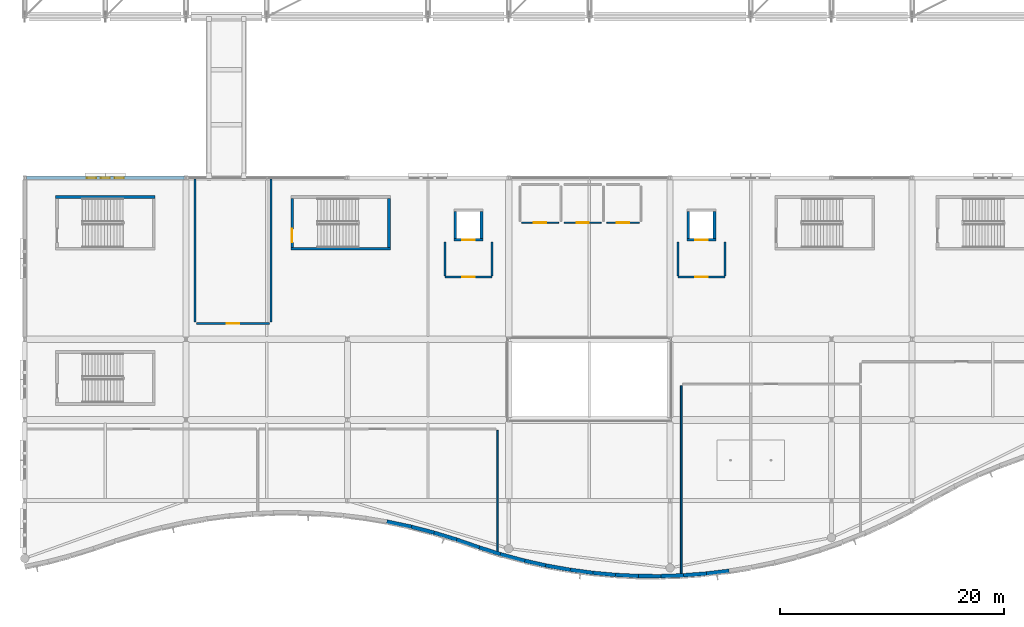
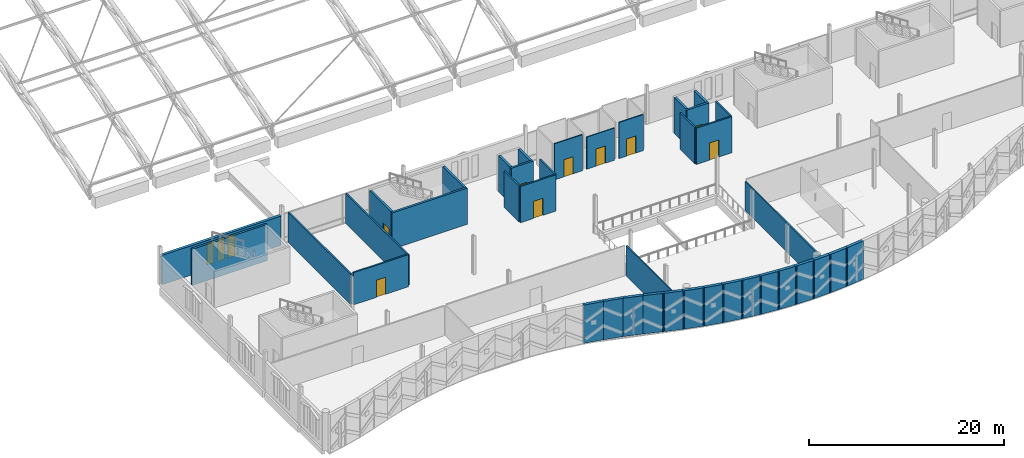
# One storey, part 136 of 193: 40 walls, 9 doors, 3 windows, 12 openings.
"""IFC4 building model written with IfcOpenShell, lengths in metres."""

from ifc_helpers import new_model, si_unit, direction, frame, frame_2d, origin, place, context, subcontext, project, spatial, rectangle, extrude, material, layer, layer_set, type_object, element, fill, save


model = new_model("IFC4")

# Units and contexts
model_context = context("Model", 3, precision=1e-05, world=origin(), true_north=direction((0.0, 1.0)))
body_context = subcontext(model_context, "Body", "Model", "MODEL_VIEW")
ifc_project = project(units=[si_unit("LENGTHUNIT", "METRE"), si_unit("AREAUNIT", "SQUARE_METRE"), si_unit("VOLUMEUNIT", "CUBIC_METRE"), si_unit("PLANEANGLEUNIT", "RADIAN"), si_unit("MASSUNIT", "GRAM", prefix="KILO")], contexts=[model_context])

# Site, building, storey
site_placement = place(None, origin())
site = spatial("IfcSite", under=ifc_project, at=site_placement, CompositionType="ELEMENT")
building_placement = place(site_placement, origin())
building = spatial("IfcBuilding", under=site, at=building_placement, Name="Cendralis Lancet Convention Centre", CompositionType="ELEMENT")
storey_placement = place(building_placement, frame((0.0, 0.0, 10.199951171875)))
storey = spatial("IfcBuildingStorey", under=building, at=storey_placement, Name="L02", CompositionType="ELEMENT", Elevation=10.199951171875)

# Wall, openings, windows
ifc_material_1 = material(Name="Buff sandstone ashlar and Concrete G40 (C40/50)", Category="masonry")
ifc_layer_1 = layer(ifc_material_1, 0.320068359375, Name="Buff sandstone ashlar and Concrete G40 (C40/50)")
ifc_layer_set_1 = layer_set([ifc_layer_1], Name="Buff sandstone ashlar and Concrete G40 (C40/50)")
wall_type_1 = type_object("IfcWallType", Name="ARC-EW-W320", PredefinedType="STANDARD", material=ifc_layer_set_1)
wall_1_placement = place(storey_placement, frame((0.157958984375, 36.0, 0.0), z_axis=(0.0, 0.0, 1.0), x_axis=(1.0, 0.0, 0.0)))
wall_1 = element("IfcWall", 1, at=wall_1_placement, inside=storey, type_object=wall_type_1, Name="L02 V4 Exterior Wall EW-06 #0206", PredefinedType="STANDARD", context=body_context, shape_type="SweptSolid", body=[
    extrude(rectangle(XDim=14.083984375, YDim=0.320068359375, at=frame_2d((7.0419921875, 0.0))), origin(), (0.0, 0.0, 1.0), 3.675048828125),
])
opening_1_placement = place(wall_1_placement, frame((5.382080078125, 0.0, 0.5)))
opening_1 = element("IfcOpeningElement", 2, at=opening_1_placement, cuts=wall_1, Name="Opening WN-15", PredefinedType="OPENING", context=body_context, shape_type="SweptSolid", body=[
    extrude(rectangle(XDim=0.840087890625, YDim=2.699951171875, at=frame_2d((0.419921875, 1.35009765625))), frame((0.0, 0.169921875, 0.0), z_axis=(0.0, -1.0, 0.0), x_axis=(1.0, 0.0, 0.0)), (0.0, 0.0, 1.0), 0.340087890625),
])
opening_2_placement = place(wall_1_placement, frame((6.64208984375, 0.0, 0.5)))
opening_2 = element("IfcOpeningElement", 3, at=opening_2_placement, cuts=wall_1, Name="Opening WN-07", PredefinedType="OPENING", context=body_context, shape_type="SweptSolid", body=[
    extrude(rectangle(XDim=0.800048828125, YDim=2.75, at=frame_2d((0.39990234375, 1.375))), frame((0.0, 0.169921875, 0.0), z_axis=(0.0, -1.0, 0.0), x_axis=(1.0, 0.0, 0.0)), (0.0, 0.0, 1.0), 0.340087890625),
])
opening_3_placement = place(wall_1_placement, frame((7.862060546875, 0.0, 0.5)))
opening_3 = element("IfcOpeningElement", 4, at=opening_3_placement, cuts=wall_1, Name="Opening WN-15", PredefinedType="OPENING", context=body_context, shape_type="SweptSolid", body=[
    extrude(rectangle(XDim=0.840087890625, YDim=2.699951171875, at=frame_2d((0.419921875, 1.35009765625))), frame((0.0, 0.169921875, 0.0), z_axis=(0.0, -1.0, 0.0), x_axis=(1.0, 0.0, 0.0)), (0.0, 0.0, 1.0), 0.340087890625),
])
ifc_material_2 = material(Name="Double-glazed low-E solar-control glass", Category="glass")
window_type_1 = type_object("IfcWindowType", Name="ARC-WN-LW07", PartitioningType="SINGLE_PANEL", PredefinedType="WINDOW", material=ifc_material_2)
window_1_placement = place(opening_2_placement, origin())
window_1 = element("IfcWindow", 5, at=window_1_placement, inside=storey, type_object=window_type_1, Name="Gothic Lancet Window WN-07 #0404", OverallHeight=2.75, OverallWidth=0.800048828125, PartitioningType="SINGLE_PANEL", PredefinedType="WINDOW", context=body_context, shape_type="SweptSolid", body=[
    extrude(rectangle(XDim=0.800048828125, YDim=2.75, at=frame_2d((0.39990234375, 1.375))), frame((0.0, 0.030029296875, 0.0), z_axis=(0.0, -1.0, 0.0), x_axis=(1.0, 0.0, 0.0)), (0.0, 0.0, 1.0), 0.06005859375),
])
fill(opening_2, window_1)
window_type_2 = type_object("IfcWindowType", Name="ARC-WN-LW15", PartitioningType="SINGLE_PANEL", PredefinedType="WINDOW", material=ifc_material_2)
window_2_placement = place(opening_1_placement, origin())
window_2 = element("IfcWindow", 6, at=window_2_placement, inside=storey, type_object=window_type_2, Name="Gothic Lancet Window WN-15 #0403", OverallHeight=2.699951171875, OverallWidth=0.840087890625, PartitioningType="SINGLE_PANEL", PredefinedType="WINDOW", context=body_context, shape_type="SweptSolid", body=[
    extrude(rectangle(XDim=0.840087890625, YDim=2.699951171875, at=frame_2d((0.419921875, 1.35009765625))), frame((0.0, 0.030029296875, 0.0), z_axis=(0.0, -1.0, 0.0), x_axis=(1.0, 0.0, 0.0)), (0.0, 0.0, 1.0), 0.06005859375),
])
fill(opening_1, window_2)
window_3_placement = place(opening_3_placement, origin())
window_3 = element("IfcWindow", 7, at=window_3_placement, inside=storey, type_object=window_type_2, Name="Gothic Lancet Window WN-15 #0405", OverallHeight=2.699951171875, OverallWidth=0.840087890625, PartitioningType="SINGLE_PANEL", PredefinedType="WINDOW", context=body_context, shape_type="SweptSolid", body=[
    extrude(rectangle(XDim=0.840087890625, YDim=2.699951171875, at=frame_2d((0.419921875, 1.35009765625))), frame((0.0, 0.030029296875, 0.0), z_axis=(0.0, -1.0, 0.0), x_axis=(1.0, 0.0, 0.0)), (0.0, 0.0, 1.0), 0.06005859375),
])
fill(opening_3, window_3)

# Walls
ifc_layer_2 = layer(ifc_material_1, 0.340087890625, Name="Buff sandstone ashlar and Concrete G40 (C40/50)")
ifc_layer_set_2 = layer_set([ifc_layer_2], Name="Buff sandstone ashlar and Concrete G40 (C40/50)")
wall_type_2 = type_object("IfcWallType", Name="ARC-EW-W340", PredefinedType="STANDARD", material=ifc_layer_set_2)
wall_2_placement = place(storey_placement, frame((32.32080078125, 5.32763671875, 0.0), z_axis=(0.0, 0.0, 1.0), x_axis=(0.97818986033, -0.2077127756, 0.0)))
element("IfcWall", 8, at=wall_2_placement, inside=storey, type_object=wall_type_2, Name="South Boulevard Wave Wall L02 WP-017-WP-018", PredefinedType="STANDARD", context=body_context, shape_type="SweptSolid", body=[
    extrude(rectangle(XDim=2.240234375, YDim=0.340087890625, at=frame_2d((1.1201171875, 0.0))), origin(), (0.0, 0.0, 1.0), 4.800048828125),
])
wall_3_placement = place(storey_placement, frame((34.3466796875, 4.901123046875, 0.0), z_axis=(0.0, 0.0, 1.0), x_axis=(0.968370793585, -0.249515542867, 0.0)))
element("IfcWall", 9, at=wall_3_placement, inside=storey, type_object=wall_type_2, Name="South Boulevard Wave Wall L02 WP-018-WP-019", PredefinedType="STANDARD", context=body_context, shape_type="SweptSolid", body=[
    extrude(rectangle(XDim=2.26123046875, YDim=0.340087890625, at=frame_2d((1.130615234375, 0.0))), origin(), (0.0, 0.0, 1.0), 4.800048828125),
])
wall_4_placement = place(storey_placement, frame((36.372802734375, 4.3828125, 0.0), z_axis=(0.0, 0.0, 1.0), x_axis=(0.956434397386, -0.291947330006, 0.0)))
element("IfcWall", 10, at=wall_4_placement, inside=storey, type_object=wall_type_2, Name="South Boulevard Wave Wall L02 WP-019-WP-020", PredefinedType="STANDARD", context=body_context, shape_type="SweptSolid", body=[
    extrude(rectangle(XDim=2.287109375, YDim=0.340087890625, at=frame_2d((1.1435546875, 0.0))), origin(), (0.0, 0.0, 1.0), 4.800048828125),
])
wall_5_placement = place(storey_placement, frame((38.398681640625, 3.767822265625, 0.0), z_axis=(0.0, 0.0, 1.0), x_axis=(0.944599198261, -0.328226072464, 0.0)))
element("IfcWall", 11, at=wall_5_placement, inside=storey, type_object=wall_type_2, Name="South Boulevard Wave Wall L02 WP-020-WP-021", PredefinedType="STANDARD", context=body_context, shape_type="SweptSolid", body=[
    extrude(rectangle(XDim=2.314697265625, YDim=0.340087890625, at=frame_2d((1.1572265625, 0.0))), origin(), (0.0, 0.0, 1.0), 4.800048828125),
])
wall_6_placement = place(storey_placement, frame((40.424072265625, 3.061767578125, 0.0), z_axis=(0.0, 0.0, 1.0), x_axis=(0.953087731767, -0.302694194784, 0.0)))
element("IfcWall", 12, at=wall_6_placement, inside=storey, type_object=wall_type_2, Name="South Boulevard Wave Wall L02 WP-021-WP-022", PredefinedType="STANDARD", context=body_context, shape_type="SweptSolid", body=[
    extrude(rectangle(XDim=2.294677734375, YDim=0.340087890625, at=frame_2d((1.1474609375, 0.0))), origin(), (0.0, 0.0, 1.0), 4.800048828125),
])
wall_7_placement = place(storey_placement, frame((42.447998046875, 2.415283203125, 0.0), z_axis=(0.0, 0.0, 1.0), x_axis=(0.965377316221, -0.26085750387, 0.0)))
element("IfcWall", 13, at=wall_7_placement, inside=storey, type_object=wall_type_2, Name="South Boulevard Wave Wall L02 WP-022-WP-023", PredefinedType="STANDARD", context=body_context, shape_type="SweptSolid", body=[
    extrude(rectangle(XDim=2.267822265625, YDim=0.340087890625, at=frame_2d((1.1337890625, 0.0))), origin(), (0.0, 0.0, 1.0), 4.800048828125),
])
wall_8_placement = place(storey_placement, frame((44.47216796875, 1.864501953125, 0.0), z_axis=(0.0, 0.0, 1.0), x_axis=(0.975886725663, -0.218277572541, 0.0)))
element("IfcWall", 14, at=wall_8_placement, inside=storey, type_object=wall_type_2, Name="South Boulevard Wave Wall L02 WP-023-WP-024", PredefinedType="STANDARD", context=body_context, shape_type="SweptSolid", body=[
    extrude(rectangle(XDim=2.244873046875, YDim=0.340087890625, at=frame_2d((1.12255859375, 0.0))), origin(), (0.0, 0.0, 1.0), 4.800048828125),
])
wall_9_placement = place(storey_placement, frame((46.496337890625, 1.407958984375, 0.0), z_axis=(0.0, 0.0, 1.0), x_axis=(0.984319043851, -0.17639733533, 0.0)))
element("IfcWall", 15, at=wall_9_placement, inside=storey, type_object=wall_type_2, Name="South Boulevard Wave Wall L02 WP-024-WP-025", PredefinedType="STANDARD", context=body_context, shape_type="SweptSolid", body=[
    extrude(rectangle(XDim=2.228271484375, YDim=0.340087890625, at=frame_2d((1.1142578125, 0.0))), origin(), (0.0, 0.0, 1.0), 4.800048828125),
])
wall_10_placement = place(storey_placement, frame((48.521728515625, 1.04150390625, 0.0), z_axis=(0.0, 0.0, 1.0), x_axis=(0.991022475508, -0.133695374033, 0.0)))
element("IfcWall", 16, at=wall_10_placement, inside=storey, type_object=wall_type_2, Name="South Boulevard Wave Wall L02 WP-025-WP-026", PredefinedType="STANDARD", context=body_context, shape_type="SweptSolid", body=[
    extrude(rectangle(XDim=2.213134765625, YDim=0.340087890625, at=frame_2d((1.1064453125, 0.0))), origin(), (0.0, 0.0, 1.0), 4.800048828125),
])
wall_11_placement = place(storey_placement, frame((50.54638671875, 0.764892578125, 0.0), z_axis=(0.0, 0.0, 1.0), x_axis=(0.995762309329, -0.091964250222, 0.0)))
element("IfcWall", 17, at=wall_11_placement, inside=storey, type_object=wall_type_2, Name="South Boulevard Wave Wall L02 WP-026-WP-027", PredefinedType="STANDARD", context=body_context, shape_type="SweptSolid", body=[
    extrude(rectangle(XDim=2.203369140625, YDim=0.340087890625, at=frame_2d((1.1015625, 0.0))), origin(), (0.0, 0.0, 1.0), 4.800048828125),
])
wall_12_placement = place(storey_placement, frame((52.571044921875, 0.57421875, 0.0), z_axis=(0.0, 0.0, 1.0), x_axis=(0.998760636529, -0.049771386559, 0.0)))
element("IfcWall", 18, at=wall_12_placement, inside=storey, type_object=wall_type_2, Name="South Boulevard Wave Wall L02 WP-027-WP-028", PredefinedType="STANDARD", context=body_context, shape_type="SweptSolid", body=[
    extrude(rectangle(XDim=2.197509765625, YDim=0.340087890625, at=frame_2d((1.0986328125, 0.0))), origin(), (0.0, 0.0, 1.0), 4.800048828125),
])
wall_13_placement = place(storey_placement, frame((54.595947265625, 0.469482421875, 0.0), z_axis=(0.0, 0.0, 1.0), x_axis=(0.999976224925, -0.006895620726, 0.0)))
element("IfcWall", 19, at=wall_13_placement, inside=storey, type_object=wall_type_2, Name="South Boulevard Wave Wall L02 WP-028-WP-029", PredefinedType="STANDARD", context=body_context, shape_type="SweptSolid", body=[
    extrude(rectangle(XDim=2.195068359375, YDim=0.340087890625, at=frame_2d((1.09765625, 0.0))), origin(), (0.0, 0.0, 1.0), 4.800048828125),
])
wall_14_placement = place(storey_placement, frame((56.62109375, 0.4521484375, 0.0), z_axis=(0.0, 0.0, 1.0), x_axis=(0.999406527119, 0.034446967246, 0.0)))
element("IfcWall", 20, at=wall_14_placement, inside=storey, type_object=wall_type_2, Name="South Boulevard Wave Wall L02 WP-029-WP-030", PredefinedType="STANDARD", context=body_context, shape_type="SweptSolid", body=[
    extrude(rectangle(XDim=2.197021484375, YDim=0.340087890625, at=frame_2d((1.0986328125, 0.0))), origin(), (0.0, 0.0, 1.0), 4.800048828125),
])
wall_15_placement = place(storey_placement, frame((58.647216796875, 0.5185546875, 0.0), z_axis=(0.0, 0.0, 1.0), x_axis=(0.997049916485, 0.076755872979, 0.0)))
element("IfcWall", 21, at=wall_15_placement, inside=storey, type_object=wall_type_2, Name="South Boulevard Wave Wall L02 WP-030-WP-031", PredefinedType="STANDARD", context=body_context, shape_type="SweptSolid", body=[
    extrude(rectangle(XDim=2.201171875, YDim=0.340087890625, at=frame_2d((1.1005859375, 0.0))), origin(), (0.0, 0.0, 1.0), 4.800048828125),
])
wall_16_placement = place(storey_placement, frame((60.672607421875, 0.6708984375, 0.0), z_axis=(0.0, 0.0, 1.0), x_axis=(0.992815540245, 0.119654933239, 0.0)))
element("IfcWall", 22, at=wall_16_placement, inside=storey, type_object=wall_type_2, Name="South Boulevard Wave Wall L02 WP-031-WP-032", PredefinedType="STANDARD", context=body_context, shape_type="SweptSolid", body=[
    extrude(rectangle(XDim=2.209716796875, YDim=0.340087890625, at=frame_2d((1.10498046875, 0.0))), origin(), (0.0, 0.0, 1.0), 4.800048828125),
])

# Wall, opening, door
ifc_material_3 = material(Name="Acoustic fire-rated gypsum board on steel studs", Category="steel")
ifc_layer_3 = layer(ifc_material_3, 0.1201171875, Name="Acoustic fire-rated gypsum board on steel studs")
ifc_layer_set_3 = layer_set([ifc_layer_3], Name="Acoustic fire-rated gypsum board on steel studs")
wall_type_3 = type_object("IfcWallType", Name="ARC-IW-P120", PredefinedType="PARTITIONING", material=ifc_layer_set_3)
wall_17_placement = place(storey_placement, frame((44.35009765625, 32.0, 0.0), z_axis=(0.0, 0.0, 1.0), x_axis=(1.0, 0.0, 0.0)))
wall_17 = element("IfcWall", 23, at=wall_17_placement, inside=storey, type_object=wall_type_3, Name="L02 Interior Partition IW-05 #0272", PredefinedType="PARTITIONING", context=body_context, shape_type="SweptSolid", body=[
    extrude(rectangle(XDim=3.2998046875, YDim=0.1201171875, at=frame_2d((1.64990234375, 0.0))), origin(), (0.0, 0.0, 1.0), 4.525146484375),
])
opening_4_placement = place(wall_17_placement, frame((1.10009765625, 0.0, 0.0)))
opening_4 = element("IfcOpeningElement", 24, at=opening_4_placement, cuts=wall_17, Name="Opening FD-11", PredefinedType="OPENING", context=body_context, shape_type="SweptSolid", body=[
    extrude(rectangle(XDim=1.10009765625, YDim=2.14990234375, at=frame_2d((0.550048828125, 1.074951171875))), frame((0.0, 0.070068359375, 0.0), z_axis=(0.0, -1.0, 0.0), x_axis=(1.0, 0.0, 0.0)), (0.0, 0.0, 1.0), 0.14013671875),
])
ifc_material_4 = material(Name="Steel S355", Category="steel")
door_type_1 = type_object("IfcDoorType", Name="ARC-DR-FF11", OperationType="NOTDEFINED", PredefinedType="DOOR", material=ifc_material_4)
door_1_placement = place(opening_4_placement, origin())
door_1 = element("IfcDoor", 25, at=door_1_placement, inside=storey, type_object=door_type_1, Name="L02-D018 L02 Interior Door FD-11 #0090", OperationType="SINGLE_SWING_RIGHT", OverallHeight=2.14990234375, OverallWidth=1.10009765625, PredefinedType="DOOR", context=body_context, shape_type="SweptSolid", body=[
    extrude(rectangle(XDim=1.10009765625, YDim=2.14990234375, at=frame_2d((0.550048828125, 1.074951171875))), frame((0.0, 0.02490234375, 0.0), z_axis=(0.0, -1.0, 0.0), x_axis=(1.0, 0.0, 0.0)), (0.0, 0.0, 1.0), 0.050048828125),
])
fill(opening_4, door_1)

wall_18_placement = place(storey_placement, frame((48.14990234375, 32.0, 0.0), z_axis=(0.0, 0.0, 1.0), x_axis=(1.0, 0.0, 0.0)))
wall_18 = element("IfcWall", 26, at=wall_18_placement, inside=storey, type_object=wall_type_3, Name="L02 Interior Partition IW-05 #0276", PredefinedType="PARTITIONING", context=body_context, shape_type="SweptSolid", body=[
    extrude(rectangle(XDim=3.300048828125, YDim=0.1201171875, at=frame_2d((1.64990234375, 0.0))), origin(), (0.0, 0.0, 1.0), 4.025146484375),
])
opening_5_placement = place(wall_18_placement, frame((1.10009765625, 0.0, 0.0)))
opening_5 = element("IfcOpeningElement", 27, at=opening_5_placement, cuts=wall_18, Name="Opening FD-11", PredefinedType="OPENING", context=body_context, shape_type="SweptSolid", body=[
    extrude(rectangle(XDim=1.10009765625, YDim=2.14990234375, at=frame_2d((0.550048828125, 1.074951171875))), frame((0.0, 0.070068359375, 0.0), z_axis=(0.0, -1.0, 0.0), x_axis=(1.0, 0.0, 0.0)), (0.0, 0.0, 1.0), 0.14013671875),
])
door_2_placement = place(opening_5_placement, frame((1.10009765625, 0.0, 0.0), z_axis=(0.0, 0.0, 1.0), x_axis=(-1.0, 0.0, 0.0)))
door_2 = element("IfcDoor", 28, at=door_2_placement, inside=storey, type_object=door_type_1, Name="L02-D019 L02 Interior Door FD-11 #0091", OperationType="SINGLE_SWING_LEFT", OverallHeight=2.14990234375, OverallWidth=1.10009765625, PredefinedType="DOOR", context=body_context, shape_type="SweptSolid", body=[
    extrude(rectangle(XDim=1.10009765625, YDim=2.14990234375, at=frame_2d((0.550048828125, 1.074951171875))), frame((0.0, 0.02490234375, 0.0), z_axis=(0.0, -1.0, 0.0), x_axis=(1.0, 0.0, 0.0)), (0.0, 0.0, 1.0), 0.050048828125),
])
fill(opening_5, door_2)

wall_19_placement = place(storey_placement, frame((51.949951171875, 32.0, 0.0), z_axis=(0.0, 0.0, 1.0), x_axis=(1.0, 0.0, 0.0)))
wall_19 = element("IfcWall", 29, at=wall_19_placement, inside=storey, type_object=wall_type_3, Name="L02 Interior Partition IW-05 #0279", PredefinedType="PARTITIONING", context=body_context, shape_type="SweptSolid", body=[
    extrude(rectangle(XDim=2.900146484375, YDim=0.1201171875, at=frame_2d((1.4501953125, 0.0))), origin(), (0.0, 0.0, 1.0), 4.525146484375),
])
opening_6_placement = place(wall_19_placement, frame((0.89990234375, 0.0, 0.0)))
opening_6 = element("IfcOpeningElement", 30, at=opening_6_placement, cuts=wall_19, Name="Opening FD-11", PredefinedType="OPENING", context=body_context, shape_type="SweptSolid", body=[
    extrude(rectangle(XDim=1.10009765625, YDim=2.14990234375, at=frame_2d((0.550048828125, 1.074951171875))), frame((0.0, 0.070068359375, 0.0), z_axis=(0.0, -1.0, 0.0), x_axis=(1.0, 0.0, 0.0)), (0.0, 0.0, 1.0), 0.14013671875),
])
door_3_placement = place(opening_6_placement, origin())
door_3 = element("IfcDoor", 31, at=door_3_placement, inside=storey, type_object=door_type_1, Name="L02-D020 L02 Interior Door FD-11 #0092", OperationType="SINGLE_SWING_RIGHT", OverallHeight=2.14990234375, OverallWidth=1.10009765625, PredefinedType="DOOR", context=body_context, shape_type="SweptSolid", body=[
    extrude(rectangle(XDim=1.10009765625, YDim=2.14990234375, at=frame_2d((0.550048828125, 1.074951171875))), frame((0.0, 0.02490234375, 0.0), z_axis=(0.0, -1.0, 0.0), x_axis=(1.0, 0.0, 0.0)), (0.0, 0.0, 1.0), 0.050048828125),
])
fill(opening_6, door_3)

# Walls
ifc_layer_4 = layer(ifc_material_3, 0.139892578125, Name="Acoustic fire-rated gypsum board on steel studs")
ifc_layer_set_4 = layer_set([ifc_layer_4], Name="Acoustic fire-rated gypsum board on steel studs")
wall_type_4 = type_object("IfcWallType", Name="ARC-IW-P140", PredefinedType="PARTITIONING", material=ifc_layer_set_4)
wall_20_placement = place(storey_placement, frame((42.199951171875, 2.68115234375, 0.0), z_axis=(0.0, 0.0, 1.0), x_axis=(0.0, 1.0, 0.0)))
element("IfcWall", 32, at=wall_20_placement, inside=storey, type_object=wall_type_4, Name="L02 Interior Partition IW-04 #0258", PredefinedType="PARTITIONING", context=body_context, shape_type="SweptSolid", body=[
    extrude(rectangle(XDim=10.77880859375, YDim=0.139892578125, at=frame_2d((5.389404296875, 0.0))), origin(), (0.0, 0.0, 1.0), 3.775146484375),
])
ifc_layer_5 = layer(ifc_material_3, 0.159912109375, Name="Acoustic fire-rated gypsum board on steel studs")
ifc_layer_set_5 = layer_set([ifc_layer_5], Name="Acoustic fire-rated gypsum board on steel studs")
wall_type_5 = type_object("IfcWallType", Name="ARC-IW-P160", PredefinedType="PARTITIONING", material=ifc_layer_set_5)
wall_21_placement = place(storey_placement, frame((58.60009765625, 0.7080078125, 0.0), z_axis=(0.0, 0.0, 1.0), x_axis=(0.0, 1.0, 0.0)))
element("IfcWall", 33, at=wall_21_placement, inside=storey, type_object=wall_type_5, Name="L02 Interior Partition IW-03 #0259", PredefinedType="PARTITIONING", context=body_context, shape_type="SweptSolid", body=[
    extrude(rectangle(XDim=16.751953125, YDim=0.159912109375, at=frame_2d((8.3759765625, 0.0))), origin(), (0.0, 0.0, 1.0), 3.625),
])

# Wall, opening, door
ifc_layer_6 = layer(ifc_material_3, 0.179931640625, Name="Acoustic fire-rated gypsum board on steel studs")
ifc_layer_set_6 = layer_set([ifc_layer_6], Name="Acoustic fire-rated gypsum board on steel studs")
wall_type_6 = type_object("IfcWallType", Name="ARC-IW-P180", PredefinedType="PARTITIONING", material=ifc_layer_set_6)
wall_22_placement = place(storey_placement, frame((41.699951171875, 27.14990234375, 0.0), z_axis=(0.0, 0.0, 1.0), x_axis=(-1.0, 0.0, 0.0)))
wall_22 = element("IfcWall", 34, at=wall_22_placement, inside=storey, type_object=wall_type_6, Name="L02 Lift Lobby LP-03 Front Wall", PredefinedType="PARTITIONING", context=body_context, shape_type="SweptSolid", body=[
    extrude(rectangle(XDim=4.199951171875, YDim=0.179931640625, at=frame_2d((2.10009765625, 0.0))), origin(), (0.0, 0.0, 1.0), 4.5400390625),
])
opening_7_placement = place(wall_22_placement, frame((1.550048828125, 0.0, 0.0)))
opening_7 = element("IfcOpeningElement", 35, at=opening_7_placement, cuts=wall_22, Name="Opening FD-11", PredefinedType="OPENING", context=body_context, shape_type="SweptSolid", body=[
    extrude(rectangle(XDim=1.10009765625, YDim=2.14990234375, at=frame_2d((0.550048828125, 1.074951171875))), frame((0.0, 0.099853515625, 0.0), z_axis=(0.0, -1.0, 0.0), x_axis=(1.0, 0.0, 0.0)), (0.0, 0.0, 1.0), 0.199951171875),
])
door_4_placement = place(opening_7_placement, origin())
door_4 = element("IfcDoor", 36, at=door_4_placement, inside=storey, type_object=door_type_1, Name="L02-D047 L02 Lift Lobby LP-03 Fire Door", OperationType="SINGLE_SWING_RIGHT", OverallHeight=2.14990234375, OverallWidth=1.10009765625, PredefinedType="DOOR", context=body_context, shape_type="SweptSolid", body=[
    extrude(rectangle(XDim=1.10009765625, YDim=2.14990234375, at=frame_2d((0.550048828125, 1.074951171875))), frame((0.0, 0.02490234375, 0.0), z_axis=(0.0, -1.0, 0.0), x_axis=(1.0, 0.0, 0.0)), (0.0, 0.0, 1.0), 0.050048828125),
])
fill(opening_7, door_4)

# Walls
for number, where, z_axis, x_axis, name in (
    (37, (37.5, 27.25, 0.0), (0.0, 0.0, 1.0), (0.0, 1.0, 0.0), "L02 Lift Lobby LP-03 West Wall"),
    (38, (41.699951171875, 27.25, 0.0), (0.0, 0.0, 1.0), (0.0, 1.0, 0.0), "L02 Lift Lobby LP-03 East Wall"),
):
    element("IfcWall", number, at=place(storey_placement, frame(where, z_axis=z_axis, x_axis=x_axis)), inside=storey, type_object=wall_type_6, Name=name, PredefinedType="PARTITIONING", context=body_context, shape_type="SweptSolid", body=[
        extrude(rectangle(XDim=3.050048828125, YDim=0.179931640625, at=frame_2d((1.52490234375, 0.0))), origin(), (0.0, 0.0, 1.0), 4.5400390625),
    ])

# Wall, opening, door
wall_23_placement = place(storey_placement, frame((62.5, 27.14990234375, 0.0), z_axis=(0.0, 0.0, 1.0), x_axis=(-1.0, 0.0, 0.0)))
wall_23 = element("IfcWall", 39, at=wall_23_placement, inside=storey, type_object=wall_type_6, Name="L02 Lift Lobby LP-04 Front Wall", PredefinedType="PARTITIONING", context=body_context, shape_type="SweptSolid", body=[
    extrude(rectangle(XDim=4.199951171875, YDim=0.179931640625, at=frame_2d((2.10009765625, 0.0))), origin(), (0.0, 0.0, 1.0), 4.5400390625),
])
opening_8_placement = place(wall_23_placement, frame((1.550048828125, 0.0, 0.0)))
opening_8 = element("IfcOpeningElement", 40, at=opening_8_placement, cuts=wall_23, Name="Opening FD-11", PredefinedType="OPENING", context=body_context, shape_type="SweptSolid", body=[
    extrude(rectangle(XDim=1.10009765625, YDim=2.14990234375, at=frame_2d((0.550048828125, 1.074951171875))), frame((0.0, 0.099853515625, 0.0), z_axis=(0.0, -1.0, 0.0), x_axis=(1.0, 0.0, 0.0)), (0.0, 0.0, 1.0), 0.199951171875),
])
door_5_placement = place(opening_8_placement, origin())
door_5 = element("IfcDoor", 41, at=door_5_placement, inside=storey, type_object=door_type_1, Name="L02-D048 L02 Lift Lobby LP-04 Fire Door", OperationType="SINGLE_SWING_LEFT", OverallHeight=2.14990234375, OverallWidth=1.10009765625, PredefinedType="DOOR", context=body_context, shape_type="SweptSolid", body=[
    extrude(rectangle(XDim=1.10009765625, YDim=2.14990234375, at=frame_2d((0.550048828125, 1.074951171875))), frame((0.0, 0.02490234375, 0.0), z_axis=(0.0, -1.0, 0.0), x_axis=(1.0, 0.0, 0.0)), (0.0, 0.0, 1.0), 0.050048828125),
])
fill(opening_8, door_5)

# Walls
for number, where, z_axis, x_axis, name in (
    (42, (58.300048828125, 27.25, 0.0), (0.0, 0.0, 1.0), (0.0, 1.0, 0.0), "L02 Lift Lobby LP-04 West Wall"),
    (43, (62.5, 27.25, 0.0), (0.0, 0.0, 1.0), (0.0, 1.0, 0.0), "L02 Lift Lobby LP-04 East Wall"),
):
    element("IfcWall", number, at=place(storey_placement, frame(where, z_axis=z_axis, x_axis=x_axis)), inside=storey, type_object=wall_type_6, Name=name, PredefinedType="PARTITIONING", context=body_context, shape_type="SweptSolid", body=[
        extrude(rectangle(XDim=3.050048828125, YDim=0.179931640625, at=frame_2d((1.52490234375, 0.0))), origin(), (0.0, 0.0, 1.0), 4.5400390625),
    ])

# Wall, opening, door
wall_24_placement = place(storey_placement, frame((15.340087890625, 23.0, 0.0), z_axis=(0.0, 0.0, 1.0), x_axis=(1.0, 0.0, 0.0)))
wall_24 = element("IfcWall", 44, at=wall_24_placement, inside=storey, type_object=wall_type_6, Name="L02 Interior Partition IW-02 #0269", PredefinedType="PARTITIONING", context=body_context, shape_type="SweptSolid", body=[
    extrude(rectangle(XDim=6.52001953125, YDim=0.179931640625, at=frame_2d((3.260009765625, 0.0))), origin(), (0.0, 0.0, 1.0), 4.025146484375),
])
opening_9_placement = place(wall_24_placement, frame((2.7099609375, 0.0, 0.0)))
opening_9 = element("IfcOpeningElement", 45, at=opening_9_placement, cuts=wall_24, Name="Opening FD-11", PredefinedType="OPENING", context=body_context, shape_type="SweptSolid", body=[
    extrude(rectangle(XDim=1.10009765625, YDim=2.14990234375, at=frame_2d((0.550048828125, 1.074951171875))), frame((0.0, 0.099853515625, 0.0), z_axis=(0.0, -1.0, 0.0), x_axis=(1.0, 0.0, 0.0)), (0.0, 0.0, 1.0), 0.199951171875),
])
door_6_placement = place(opening_9_placement, frame((1.10009765625, 0.0, 0.0), z_axis=(0.0, 0.0, 1.0), x_axis=(-1.0, 0.0, 0.0)))
door_6 = element("IfcDoor", 46, at=door_6_placement, inside=storey, type_object=door_type_1, Name="L02-D017 L02 Interior Door FD-11 #0089", OperationType="SINGLE_SWING_LEFT", OverallHeight=2.14990234375, OverallWidth=1.10009765625, PredefinedType="DOOR", context=body_context, shape_type="SweptSolid", body=[
    extrude(rectangle(XDim=1.10009765625, YDim=2.14990234375, at=frame_2d((0.550048828125, 1.074951171875))), frame((0.0, 0.02490234375, 0.0), z_axis=(0.0, -1.0, 0.0), x_axis=(1.0, 0.0, 0.0)), (0.0, 0.0, 1.0), 0.050048828125),
])
fill(opening_9, door_6)

# Walls
for number, where, z_axis, x_axis, name in (
    (47, (15.199951171875, 23.139892578125, 0.0), (0.0, 0.0, 1.0), (0.0, 1.0, 0.0), "L02 Interior Partition IW-02 #0270"),
    (48, (22.0, 23.139892578125, 0.0), (0.0, 0.0, 1.0), (0.0, 1.0, 0.0), "L02 Interior Partition IW-02 #0271"),
):
    element("IfcWall", number, at=place(storey_placement, frame(where, z_axis=z_axis, x_axis=x_axis)), inside=storey, type_object=wall_type_6, Name=name, PredefinedType="PARTITIONING", context=body_context, shape_type="SweptSolid", body=[
        extrude(rectangle(XDim=12.780029296875, YDim=0.179931640625, at=frame_2d((6.39013671875, 0.0))), origin(), (0.0, 0.0, 1.0), 3.775146484375),
    ])

# Wall, opening, door
ifc_material_5 = material(Name="Concrete G40 (C40/50)", Category="concrete")
ifc_layer_7 = layer(ifc_material_5, 0.25, Name="Concrete G40 (C40/50)")
ifc_layer_set_7 = layer_set([ifc_layer_7], Name="Concrete G40 (C40/50)")
wall_type_7 = type_object("IfcWallType", Name="STR-SW-CW250", PredefinedType="SHEAR", material=ifc_layer_set_7)
wall_25_placement = place(storey_placement, frame((23.875, 29.800048828125, 0.0), z_axis=(0.0, 0.0, 1.0), x_axis=(0.0, 1.0, 0.0)))
wall_25 = element("IfcWall", 49, at=wall_25_placement, inside=storey, type_object=wall_type_7, Name="L02 Stair Core ST-11 West Shear Wall", PredefinedType="SHEAR", context=body_context, shape_type="SweptSolid", body=[
    extrude(rectangle(XDim=4.3798828125, YDim=0.25, at=frame_2d((2.18994140625, 0.0))), origin(), (0.0, 0.0, 1.0), 4.5400390625),
])
opening_10_placement = place(wall_25_placement, frame((0.449951171875, 0.0, 0.0)))
opening_10 = element("IfcOpeningElement", 50, at=opening_10_placement, cuts=wall_25, Name="Opening SD-12", PredefinedType="OPENING", context=body_context, shape_type="SweptSolid", body=[
    extrude(rectangle(XDim=1.199951171875, YDim=2.14990234375, at=frame_2d((0.60009765625, 1.074951171875))), frame((0.0, 0.135009765625, 0.0), z_axis=(0.0, -1.0, 0.0), x_axis=(1.0, 0.0, 0.0)), (0.0, 0.0, 1.0), 0.27001953125),
])
door_type_2 = type_object("IfcDoorType", Name="ARC-DR-ST12", OperationType="NOTDEFINED", PredefinedType="DOOR", material=ifc_material_4)
door_7_placement = place(opening_10_placement, frame((1.199951171875, 0.0, 0.0), z_axis=(0.0, 0.0, 1.0), x_axis=(-1.0, 0.0, 0.0)))
door_7 = element("IfcDoor", 51, at=door_7_placement, inside=storey, type_object=door_type_2, Name="L02-D058 L02 Exit Stair ST-11 Fire Door", OperationType="SINGLE_SWING_LEFT", OverallHeight=2.14990234375, OverallWidth=1.199951171875, PredefinedType="DOOR", context=body_context, shape_type="SweptSolid", body=[
    extrude(rectangle(XDim=1.199951171875, YDim=2.14990234375, at=frame_2d((0.60009765625, 1.074951171875))), frame((0.0, 0.02490234375, 0.0), z_axis=(0.0, -1.0, 0.0), x_axis=(1.0, 0.0, 0.0)), (0.0, 0.0, 1.0), 0.050048828125),
])
fill(opening_10, door_7)

# Walls
wall_26_placement = place(storey_placement, frame((32.52490234375, 29.800048828125, 0.0), z_axis=(0.0, 0.0, 1.0), x_axis=(0.0, 1.0, 0.0)))
element("IfcWall", 52, at=wall_26_placement, inside=storey, type_object=wall_type_7, Name="L02 Stair Core ST-11 East Shear Wall", PredefinedType="SHEAR", context=body_context, shape_type="SweptSolid", body=[
    extrude(rectangle(XDim=4.3798828125, YDim=0.25, at=frame_2d((2.18994140625, 0.0))), origin(), (0.0, 0.0, 1.0), 4.5400390625),
])
for number, where, z_axis, x_axis, name in (
    (53, (23.75, 29.675048828125, 0.0), (0.0, 0.0, 1.0), (1.0, 0.0, 0.0), "L02 Stair Core ST-11 South Shear Wall"),
    (54, (2.75, 34.304931640625, 0.0), (0.0, 0.0, 1.0), (1.0, 0.0, 0.0), "L02 Stair Core ST-20 North Shear Wall"),
):
    element("IfcWall", number, at=place(storey_placement, frame(where, z_axis=z_axis, x_axis=x_axis)), inside=storey, type_object=wall_type_7, Name=name, PredefinedType="SHEAR", context=body_context, shape_type="SweptSolid", body=[
        extrude(rectangle(XDim=8.89990234375, YDim=0.25, at=frame_2d((4.449951171875, 0.0))), origin(), (0.0, 0.0, 1.0), 4.5400390625),
    ])

# Wall, opening, door
wall_27_placement = place(storey_placement, frame((38.300048828125, 30.47509765625, 0.0), z_axis=(0.0, 0.0, 1.0), x_axis=(1.0, 0.0, 0.0)))
wall_27 = element("IfcWall", 55, at=wall_27_placement, inside=storey, type_object=wall_type_7, Name="L02 Lift LP-03 South Shaft Wall", PredefinedType="SHEAR", context=body_context, shape_type="SweptSolid", body=[
    extrude(rectangle(XDim=2.599853515625, YDim=0.25, at=frame_2d((1.2998046875, 0.0))), origin(), (0.0, 0.0, 1.0), 4.5400390625),
])
opening_11_placement = place(wall_27_placement, frame((0.75, 0.0, 0.0)))
opening_11 = element("IfcOpeningElement", 56, at=opening_11_placement, cuts=wall_27, Name="Opening LD-11", PredefinedType="OPENING", context=body_context, shape_type="SweptSolid", body=[
    extrude(rectangle(XDim=1.10009765625, YDim=2.14990234375, at=frame_2d((0.550048828125, 1.074951171875))), frame((0.0, 0.135009765625, 0.0), z_axis=(0.0, -1.0, 0.0), x_axis=(1.0, 0.0, 0.0)), (0.0, 0.0, 1.0), 0.27001953125),
])
ifc_material_6 = material(Name="Anodised bronze architectural aluminium", Category="aluminium")
door_type_3 = type_object("IfcDoorType", Name="ARC-DR-LD11", OperationType="NOTDEFINED", PredefinedType="DOOR", material=ifc_material_6)
door_8_placement = place(opening_11_placement, origin())
door_8 = element("IfcDoor", 57, at=door_8_placement, inside=storey, type_object=door_type_3, Name="L02-D035 L02 Lift LP-03 Sliding Landing Door", OperationType="SLIDING_TO_RIGHT", OverallHeight=2.14990234375, OverallWidth=1.10009765625, PredefinedType="DOOR", context=body_context, shape_type="SweptSolid", body=[
    extrude(rectangle(XDim=1.10009765625, YDim=2.14990234375, at=frame_2d((0.550048828125, 1.074951171875))), frame((0.0, 0.02490234375, 0.0), z_axis=(0.0, -1.0, 0.0), x_axis=(1.0, 0.0, 0.0)), (0.0, 0.0, 1.0), 0.050048828125),
])
fill(opening_11, door_8)

# Walls
for number, where, z_axis, x_axis, name in (
    (58, (38.425048828125, 30.60009765625, 0.0), (0.0, 0.0, 1.0), (0.0, 1.0, 0.0), "L02 Lift LP-03 West Shaft Wall"),
    (59, (40.77490234375, 30.60009765625, 0.0), (0.0, 0.0, 1.0), (0.0, 1.0, 0.0), "L02 Lift LP-03 East Shaft Wall"),
):
    element("IfcWall", number, at=place(storey_placement, frame(where, z_axis=z_axis, x_axis=x_axis)), inside=storey, type_object=wall_type_7, Name=name, PredefinedType="SHEAR", context=body_context, shape_type="SweptSolid", body=[
        extrude(rectangle(XDim=2.39990234375, YDim=0.25, at=frame_2d((1.199951171875, 0.0))), origin(), (0.0, 0.0, 1.0), 4.5400390625),
    ])

# Wall, opening, door
wall_28_placement = place(storey_placement, frame((59.10009765625, 30.47509765625, 0.0), z_axis=(0.0, 0.0, 1.0), x_axis=(1.0, 0.0, 0.0)))
wall_28 = element("IfcWall", 60, at=wall_28_placement, inside=storey, type_object=wall_type_7, Name="L02 Lift LP-04 South Shaft Wall", PredefinedType="SHEAR", context=body_context, shape_type="SweptSolid", body=[
    extrude(rectangle(XDim=2.599853515625, YDim=0.25, at=frame_2d((1.2998046875, 0.0))), origin(), (0.0, 0.0, 1.0), 4.5400390625),
])
opening_12_placement = place(wall_28_placement, frame((0.75, 0.0, 0.0)))
opening_12 = element("IfcOpeningElement", 61, at=opening_12_placement, cuts=wall_28, Name="Opening LD-11", PredefinedType="OPENING", context=body_context, shape_type="SweptSolid", body=[
    extrude(rectangle(XDim=1.10009765625, YDim=2.14990234375, at=frame_2d((0.550048828125, 1.074951171875))), frame((0.0, 0.135009765625, 0.0), z_axis=(0.0, -1.0, 0.0), x_axis=(1.0, 0.0, 0.0)), (0.0, 0.0, 1.0), 0.27001953125),
])
door_9_placement = place(opening_12_placement, origin())
door_9 = element("IfcDoor", 62, at=door_9_placement, inside=storey, type_object=door_type_3, Name="L02-D036 L02 Lift LP-04 Sliding Landing Door", OperationType="SLIDING_TO_LEFT", OverallHeight=2.14990234375, OverallWidth=1.10009765625, PredefinedType="DOOR", context=body_context, shape_type="SweptSolid", body=[
    extrude(rectangle(XDim=1.10009765625, YDim=2.14990234375, at=frame_2d((0.550048828125, 1.074951171875))), frame((0.0, 0.02490234375, 0.0), z_axis=(0.0, -1.0, 0.0), x_axis=(1.0, 0.0, 0.0)), (0.0, 0.0, 1.0), 0.050048828125),
])
fill(opening_12, door_9)

# Walls
for number, where, z_axis, x_axis, name in (
    (63, (59.22509765625, 30.60009765625, 0.0), (0.0, 0.0, 1.0), (0.0, 1.0, 0.0), "L02 Lift LP-04 West Shaft Wall"),
    (64, (61.574951171875, 30.60009765625, 0.0), (0.0, 0.0, 1.0), (0.0, 1.0, 0.0), "L02 Lift LP-04 East Shaft Wall"),
):
    element("IfcWall", number, at=place(storey_placement, frame(where, z_axis=z_axis, x_axis=x_axis)), inside=storey, type_object=wall_type_7, Name=name, PredefinedType="SHEAR", context=body_context, shape_type="SweptSolid", body=[
        extrude(rectangle(XDim=2.39990234375, YDim=0.25, at=frame_2d((1.199951171875, 0.0))), origin(), (0.0, 0.0, 1.0), 4.5400390625),
    ])

save(model, "model.ifc")
